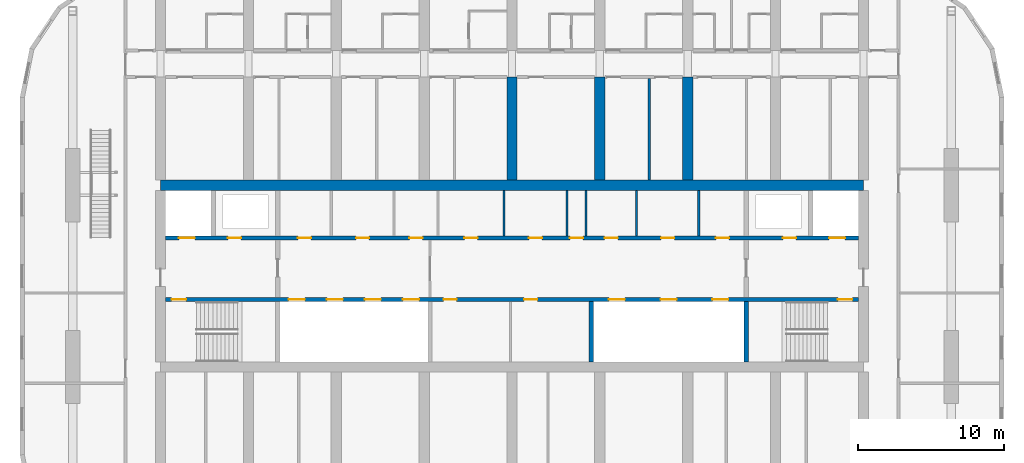
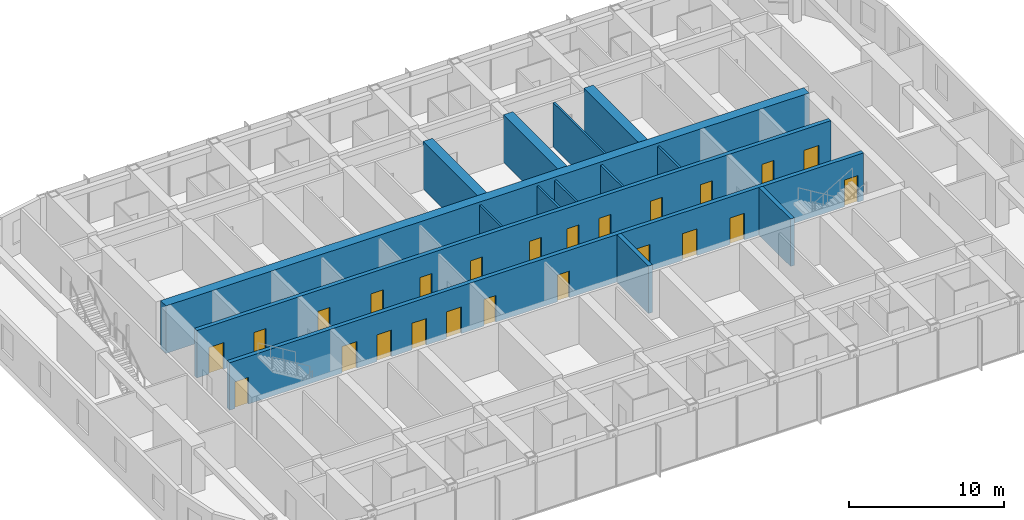
# One storey, part 17 of 28: 24 doors, 14 walls, 24 openings.
"""IFC4 building model written with IfcOpenShell, lengths in metres."""

from ifc_helpers import new_model, si_unit, direction, frame, frame_2d, origin, place, context, subcontext, project, spatial, rectangle, extrude, material, layer, layer_set, type_object, element, fill, save


model = new_model("IFC4")

# Units and contexts
model_context = context("Model", 3, precision=1e-05, world=origin(), true_north=direction((0.0, 1.0)))
body_context = subcontext(model_context, "Body", "Model", "MODEL_VIEW")
ifc_project = project(units=[si_unit("LENGTHUNIT", "METRE"), si_unit("AREAUNIT", "SQUARE_METRE"), si_unit("VOLUMEUNIT", "CUBIC_METRE"), si_unit("PLANEANGLEUNIT", "RADIAN"), si_unit("MASSUNIT", "GRAM", prefix="KILO")], contexts=[model_context])

# Site, building, storey
site_placement = place(None, origin())
site = spatial("IfcSite", under=ifc_project, at=site_placement, CompositionType="ELEMENT")
building_placement = place(site_placement, origin())
building = spatial("IfcBuilding", under=site, at=building_placement, Name="Orbita Commons", CompositionType="ELEMENT")
storey_placement = place(building_placement, frame((0.0, 0.0, 216.550048828125)))
storey = spatial("IfcBuildingStorey", under=building, at=storey_placement, Name="L53", CompositionType="ELEMENT", Elevation=216.550048828125)

# Wall, openings, doors
ifc_material_1 = material(Name="Concrete C50/60", Category="concrete")
ifc_layer_1 = layer(ifc_material_1, 0.300048828125)
ifc_layer_set_1 = layer_set([ifc_layer_1], Name="Concrete C50/60")
wall_type_1 = type_object("IfcWallType", Name="Core inner wall 300 C50/60", PredefinedType="SHEAR", material=ifc_layer_set_1)
wall_1_placement = place(storey_placement, frame((18.35009765625, 30.39990234375, 0.0), z_axis=(0.0, 0.0, 1.0), x_axis=(1.0, 0.0, 0.0)))
wall_1 = element("IfcWall", 1, at=wall_1_placement, inside=storey, type_object=wall_type_1, Name="Lobby wall south L53", PredefinedType="SHEAR", context=body_context, shape_type="SweptSolid", body=[
    extrude(rectangle(XDim=47.2998046875, YDim=0.300048828125, at=frame_2d((23.64990234375, 0.0))), origin(), (0.0, 0.0, 1.0), 3.75),
])
opening_1_placement = place(wall_1_placement, frame((0.39990234375, 0.0, 0.0)))
opening_1 = element("IfcOpeningElement", 2, at=opening_1_placement, cuts=wall_1, Name="Opening D02", PredefinedType="OPENING", context=body_context, shape_type="SweptSolid", body=[
    extrude(rectangle(XDim=1.0, YDim=2.10009765625, at=frame_2d((0.5, 1.050048828125))), frame((0.0, 0.159912109375, 0.0), z_axis=(0.0, -1.0, 0.0), x_axis=(1.0, 0.0, 0.0)), (0.0, 0.0, 1.0), 0.320068359375),
])
opening_2_placement = place(wall_1_placement, frame((45.89990234375, 0.0, 0.0)))
opening_2 = element("IfcOpeningElement", 3, at=opening_2_placement, cuts=wall_1, Name="Opening D02", PredefinedType="OPENING", context=body_context, shape_type="SweptSolid", body=[
    extrude(rectangle(XDim=1.0, YDim=2.10009765625, at=frame_2d((0.5, 1.050048828125))), frame((0.0, 0.159912109375, 0.0), z_axis=(0.0, -1.0, 0.0), x_axis=(1.0, 0.0, 0.0)), (0.0, 0.0, 1.0), 0.320068359375),
])
opening_3_placement = place(wall_1_placement, frame((8.39990234375, 0.0, 0.0)))
opening_3 = element("IfcOpeningElement", 4, at=opening_3_placement, cuts=wall_1, Name="Opening LD02", PredefinedType="OPENING", context=body_context, shape_type="SweptSolid", body=[
    extrude(rectangle(XDim=1.10009765625, YDim=2.10009765625, at=frame_2d((0.550048828125, 1.050048828125))), frame((0.0, 0.159912109375, 0.0), z_axis=(0.0, -1.0, 0.0), x_axis=(1.0, 0.0, 0.0)), (0.0, 0.0, 1.0), 0.320068359375),
])
opening_4_placement = place(wall_1_placement, frame((11.0, 0.0, 0.0)))
opening_4 = element("IfcOpeningElement", 5, at=opening_4_placement, cuts=wall_1, Name="Opening LD02", PredefinedType="OPENING", context=body_context, shape_type="SweptSolid", body=[
    extrude(rectangle(XDim=1.10009765625, YDim=2.10009765625, at=frame_2d((0.550048828125, 1.050048828125))), frame((0.0, 0.159912109375, 0.0), z_axis=(0.0, -1.0, 0.0), x_axis=(1.0, 0.0, 0.0)), (0.0, 0.0, 1.0), 0.320068359375),
])
opening_5_placement = place(wall_1_placement, frame((13.60009765625, 0.0, 0.0)))
opening_5 = element("IfcOpeningElement", 6, at=opening_5_placement, cuts=wall_1, Name="Opening LD02", PredefinedType="OPENING", context=body_context, shape_type="SweptSolid", body=[
    extrude(rectangle(XDim=1.10009765625, YDim=2.10009765625, at=frame_2d((0.550048828125, 1.050048828125))), frame((0.0, 0.159912109375, 0.0), z_axis=(0.0, -1.0, 0.0), x_axis=(1.0, 0.0, 0.0)), (0.0, 0.0, 1.0), 0.320068359375),
])
opening_6_placement = place(wall_1_placement, frame((16.199951171875, 0.0, 0.0)))
opening_6 = element("IfcOpeningElement", 7, at=opening_6_placement, cuts=wall_1, Name="Opening LD02", PredefinedType="OPENING", context=body_context, shape_type="SweptSolid", body=[
    extrude(rectangle(XDim=1.10009765625, YDim=2.10009765625, at=frame_2d((0.550048828125, 1.050048828125))), frame((0.0, 0.159912109375, 0.0), z_axis=(0.0, -1.0, 0.0), x_axis=(1.0, 0.0, 0.0)), (0.0, 0.0, 1.0), 0.320068359375),
])
opening_7_placement = place(wall_1_placement, frame((18.97509765625, 0.0, 0.0)))
opening_7 = element("IfcOpeningElement", 8, at=opening_7_placement, cuts=wall_1, Name="Opening D05", PredefinedType="OPENING", context=body_context, shape_type="SweptSolid", body=[
    extrude(rectangle(XDim=0.89990234375, YDim=2.10009765625, at=frame_2d((0.449951171875, 1.050048828125))), frame((0.0, 0.159912109375, 0.0), z_axis=(0.0, -1.0, 0.0), x_axis=(1.0, 0.0, 0.0)), (0.0, 0.0, 1.0), 0.320068359375),
])
opening_8_placement = place(wall_1_placement, frame((24.47509765625, 0.0, 0.0)))
opening_8 = element("IfcOpeningElement", 9, at=opening_8_placement, cuts=wall_1, Name="Opening D05", PredefinedType="OPENING", context=body_context, shape_type="SweptSolid", body=[
    extrude(rectangle(XDim=0.89990234375, YDim=2.10009765625, at=frame_2d((0.449951171875, 1.050048828125))), frame((0.0, 0.159912109375, 0.0), z_axis=(0.0, -1.0, 0.0), x_axis=(1.0, 0.0, 0.0)), (0.0, 0.0, 1.0), 0.320068359375),
])
opening_9_placement = place(wall_1_placement, frame((30.2666015625, 0.0, 0.0)))
opening_9 = element("IfcOpeningElement", 10, at=opening_9_placement, cuts=wall_1, Name="Opening LD02", PredefinedType="OPENING", context=body_context, shape_type="SweptSolid", body=[
    extrude(rectangle(XDim=1.10009765625, YDim=2.10009765625, at=frame_2d((0.550048828125, 1.050048828125))), frame((0.0, 0.159912109375, 0.0), z_axis=(0.0, -1.0, 0.0), x_axis=(1.0, 0.0, 0.0)), (0.0, 0.0, 1.0), 0.320068359375),
])
opening_10_placement = place(wall_1_placement, frame((33.800048828125, 0.0, 0.0)))
opening_10 = element("IfcOpeningElement", 11, at=opening_10_placement, cuts=wall_1, Name="Opening LD02", PredefinedType="OPENING", context=body_context, shape_type="SweptSolid", body=[
    extrude(rectangle(XDim=1.10009765625, YDim=2.10009765625, at=frame_2d((0.550048828125, 1.050048828125))), frame((0.0, 0.159912109375, 0.0), z_axis=(0.0, -1.0, 0.0), x_axis=(1.0, 0.0, 0.0)), (0.0, 0.0, 1.0), 0.320068359375),
])
opening_11_placement = place(wall_1_placement, frame((37.333251953125, 0.0, 0.0)))
opening_11 = element("IfcOpeningElement", 12, at=opening_11_placement, cuts=wall_1, Name="Opening LD02", PredefinedType="OPENING", context=body_context, shape_type="SweptSolid", body=[
    extrude(rectangle(XDim=1.10009765625, YDim=2.10009765625, at=frame_2d((0.550048828125, 1.050048828125))), frame((0.0, 0.159912109375, 0.0), z_axis=(0.0, -1.0, 0.0), x_axis=(1.0, 0.0, 0.0)), (0.0, 0.0, 1.0), 0.320068359375),
])
ifc_material_2 = material(Name="Steel-faced fire door leaf", Category="steel")
door_type_1 = type_object("IfcDoorType", Name="Fire door 90 min 1000x2100", OperationType="SINGLE_SWING_LEFT", PredefinedType="DOOR", material=ifc_material_2)
door_1_placement = place(opening_1_placement, origin())
door_1 = element("IfcDoor", 13, at=door_1_placement, inside=storey, type_object=door_type_1, Name="Stair S1 door", OperationType="SINGLE_SWING_LEFT", OverallHeight=2.10009765625, OverallWidth=1.0, PredefinedType="DOOR", context=body_context, shape_type="SweptSolid", body=[
    extrude(rectangle(XDim=1.0, YDim=2.10009765625, at=frame_2d((0.5, 1.050048828125))), frame((0.0, 0.02490234375, 0.0), z_axis=(0.0, -1.0, 0.0), x_axis=(1.0, 0.0, 0.0)), (0.0, 0.0, 1.0), 0.050048828125),
])
fill(opening_1, door_1)
door_2_placement = place(opening_2_placement, origin())
door_2 = element("IfcDoor", 14, at=door_2_placement, inside=storey, type_object=door_type_1, Name="Stair S2 door", OperationType="SINGLE_SWING_LEFT", OverallHeight=2.10009765625, OverallWidth=1.0, PredefinedType="DOOR", context=body_context, shape_type="SweptSolid", body=[
    extrude(rectangle(XDim=1.0, YDim=2.10009765625, at=frame_2d((0.5, 1.050048828125))), frame((0.0, 0.02490234375, 0.0), z_axis=(0.0, -1.0, 0.0), x_axis=(1.0, 0.0, 0.0)), (0.0, 0.0, 1.0), 0.050048828125),
])
fill(opening_2, door_2)
ifc_material_3 = material(Name="Steel-faced fire door leaf", Category="steel")
door_type_2 = type_object("IfcDoorType", Name="Lift landing door 1100x2100", OperationType="DOUBLE_DOOR_SLIDING", PredefinedType="DOOR", material=ifc_material_3)
door_3_placement = place(opening_3_placement, origin())
door_3 = element("IfcDoor", 15, at=door_3_placement, inside=storey, type_object=door_type_2, Name="Lift P41 landing door", OperationType="DOUBLE_DOOR_SLIDING", OverallHeight=2.10009765625, OverallWidth=1.10009765625, PredefinedType="DOOR", context=body_context, shape_type="SweptSolid", body=[
    extrude(rectangle(XDim=1.10009765625, YDim=2.10009765625, at=frame_2d((0.550048828125, 1.050048828125))), frame((0.0, 0.02490234375, 0.0), z_axis=(0.0, -1.0, 0.0), x_axis=(1.0, 0.0, 0.0)), (0.0, 0.0, 1.0), 0.050048828125),
])
fill(opening_3, door_3)
door_4_placement = place(opening_4_placement, origin())
door_4 = element("IfcDoor", 16, at=door_4_placement, inside=storey, type_object=door_type_2, Name="Lift P42 landing door", OperationType="DOUBLE_DOOR_SLIDING", OverallHeight=2.10009765625, OverallWidth=1.10009765625, PredefinedType="DOOR", context=body_context, shape_type="SweptSolid", body=[
    extrude(rectangle(XDim=1.10009765625, YDim=2.10009765625, at=frame_2d((0.550048828125, 1.050048828125))), frame((0.0, 0.02490234375, 0.0), z_axis=(0.0, -1.0, 0.0), x_axis=(1.0, 0.0, 0.0)), (0.0, 0.0, 1.0), 0.050048828125),
])
fill(opening_4, door_4)
door_5_placement = place(opening_5_placement, origin())
door_5 = element("IfcDoor", 17, at=door_5_placement, inside=storey, type_object=door_type_2, Name="Lift P43 landing door", OperationType="DOUBLE_DOOR_SLIDING", OverallHeight=2.10009765625, OverallWidth=1.10009765625, PredefinedType="DOOR", context=body_context, shape_type="SweptSolid", body=[
    extrude(rectangle(XDim=1.10009765625, YDim=2.10009765625, at=frame_2d((0.550048828125, 1.050048828125))), frame((0.0, 0.02490234375, 0.0), z_axis=(0.0, -1.0, 0.0), x_axis=(1.0, 0.0, 0.0)), (0.0, 0.0, 1.0), 0.050048828125),
])
fill(opening_5, door_5)
door_6_placement = place(opening_6_placement, origin())
door_6 = element("IfcDoor", 18, at=door_6_placement, inside=storey, type_object=door_type_2, Name="Lift P44 landing door", OperationType="DOUBLE_DOOR_SLIDING", OverallHeight=2.10009765625, OverallWidth=1.10009765625, PredefinedType="DOOR", context=body_context, shape_type="SweptSolid", body=[
    extrude(rectangle(XDim=1.10009765625, YDim=2.10009765625, at=frame_2d((0.550048828125, 1.050048828125))), frame((0.0, 0.02490234375, 0.0), z_axis=(0.0, -1.0, 0.0), x_axis=(1.0, 0.0, 0.0)), (0.0, 0.0, 1.0), 0.050048828125),
])
fill(opening_6, door_6)
door_7_placement = place(opening_9_placement, origin())
door_7 = element("IfcDoor", 19, at=door_7_placement, inside=storey, type_object=door_type_2, Name="Lift SV1 landing door", OperationType="DOUBLE_DOOR_SLIDING", OverallHeight=2.10009765625, OverallWidth=1.10009765625, PredefinedType="DOOR", context=body_context, shape_type="SweptSolid", body=[
    extrude(rectangle(XDim=1.10009765625, YDim=2.10009765625, at=frame_2d((0.550048828125, 1.050048828125))), frame((0.0, 0.02490234375, 0.0), z_axis=(0.0, -1.0, 0.0), x_axis=(1.0, 0.0, 0.0)), (0.0, 0.0, 1.0), 0.050048828125),
])
fill(opening_9, door_7)
door_8_placement = place(opening_10_placement, origin())
door_8 = element("IfcDoor", 20, at=door_8_placement, inside=storey, type_object=door_type_2, Name="Lift SV2 landing door", OperationType="DOUBLE_DOOR_SLIDING", OverallHeight=2.10009765625, OverallWidth=1.10009765625, PredefinedType="DOOR", context=body_context, shape_type="SweptSolid", body=[
    extrude(rectangle(XDim=1.10009765625, YDim=2.10009765625, at=frame_2d((0.550048828125, 1.050048828125))), frame((0.0, 0.02490234375, 0.0), z_axis=(0.0, -1.0, 0.0), x_axis=(1.0, 0.0, 0.0)), (0.0, 0.0, 1.0), 0.050048828125),
])
fill(opening_10, door_8)
door_9_placement = place(opening_11_placement, origin())
door_9 = element("IfcDoor", 21, at=door_9_placement, inside=storey, type_object=door_type_2, Name="Lift SV3 landing door", OperationType="DOUBLE_DOOR_SLIDING", OverallHeight=2.10009765625, OverallWidth=1.10009765625, PredefinedType="DOOR", context=body_context, shape_type="SweptSolid", body=[
    extrude(rectangle(XDim=1.10009765625, YDim=2.10009765625, at=frame_2d((0.550048828125, 1.050048828125))), frame((0.0, 0.02490234375, 0.0), z_axis=(0.0, -1.0, 0.0), x_axis=(1.0, 0.0, 0.0)), (0.0, 0.0, 1.0), 0.050048828125),
])
fill(opening_11, door_9)
ifc_material_4 = material(Name="Steel-faced fire door leaf", Category="steel")
door_type_3 = type_object("IfcDoorType", Name="Service door 20 min 900x2100", OperationType="SINGLE_SWING_LEFT", PredefinedType="DOOR", material=ifc_material_4)
door_10_placement = place(opening_7_placement, origin())
door_10 = element("IfcDoor", 22, at=door_10_placement, inside=storey, type_object=door_type_3, Name="Linen store door", OperationType="SINGLE_SWING_LEFT", OverallHeight=2.10009765625, OverallWidth=0.89990234375, PredefinedType="DOOR", context=body_context, shape_type="SweptSolid", body=[
    extrude(rectangle(XDim=0.89990234375, YDim=2.10009765625, at=frame_2d((0.449951171875, 1.050048828125))), frame((0.0, 0.02490234375, 0.0), z_axis=(0.0, -1.0, 0.0), x_axis=(1.0, 0.0, 0.0)), (0.0, 0.0, 1.0), 0.050048828125),
])
fill(opening_7, door_10)
door_11_placement = place(opening_8_placement, origin())
door_11 = element("IfcDoor", 23, at=door_11_placement, inside=storey, type_object=door_type_3, Name="Telecoms room door", OperationType="SINGLE_SWING_LEFT", OverallHeight=2.10009765625, OverallWidth=0.89990234375, PredefinedType="DOOR", context=body_context, shape_type="SweptSolid", body=[
    extrude(rectangle(XDim=0.89990234375, YDim=2.10009765625, at=frame_2d((0.449951171875, 1.050048828125))), frame((0.0, 0.02490234375, 0.0), z_axis=(0.0, -1.0, 0.0), x_axis=(1.0, 0.0, 0.0)), (0.0, 0.0, 1.0), 0.050048828125),
])
fill(opening_8, door_11)

wall_2_placement = place(storey_placement, frame((18.35009765625, 34.60009765625, 0.0), z_axis=(0.0, 0.0, 1.0), x_axis=(1.0, 0.0, 0.0)))
wall_2 = element("IfcWall", 24, at=wall_2_placement, inside=storey, type_object=wall_type_1, Name="Lobby wall north L53", PredefinedType="SHEAR", context=body_context, shape_type="SweptSolid", body=[
    extrude(rectangle(XDim=47.2998046875, YDim=0.300048828125, at=frame_2d((23.64990234375, 0.0))), origin(), (0.0, 0.0, 1.0), 3.75),
])
opening_12_placement = place(wall_2_placement, frame((0.89990234375, 0.0, 0.0)))
opening_12 = element("IfcOpeningElement", 25, at=opening_12_placement, cuts=wall_2, Name="Opening LD01", PredefinedType="OPENING", context=body_context, shape_type="SweptSolid", body=[
    extrude(rectangle(XDim=1.10009765625, YDim=2.10009765625, at=frame_2d((0.550048828125, 1.050048828125))), frame((0.0, 0.159912109375, 0.0), z_axis=(0.0, -1.0, 0.0), x_axis=(1.0, 0.0, 0.0)), (0.0, 0.0, 1.0), 0.320068359375),
])
opening_13_placement = place(wall_2_placement, frame((45.300048828125, 0.0, 0.0)))
opening_13 = element("IfcOpeningElement", 26, at=opening_13_placement, cuts=wall_2, Name="Opening LD01", PredefinedType="OPENING", context=body_context, shape_type="SweptSolid", body=[
    extrude(rectangle(XDim=1.10009765625, YDim=2.10009765625, at=frame_2d((0.550048828125, 1.050048828125))), frame((0.0, 0.159912109375, 0.0), z_axis=(0.0, -1.0, 0.0), x_axis=(1.0, 0.0, 0.0)), (0.0, 0.0, 1.0), 0.320068359375),
])
opening_14_placement = place(wall_2_placement, frame((4.25, 0.0, 0.0)))
opening_14 = element("IfcOpeningElement", 27, at=opening_14_placement, cuts=wall_2, Name="Opening D03", PredefinedType="OPENING", context=body_context, shape_type="SweptSolid", body=[
    extrude(rectangle(XDim=0.89990234375, YDim=2.10009765625, at=frame_2d((0.449951171875, 1.050048828125))), frame((0.0, 0.159912109375, 0.0), z_axis=(0.0, -1.0, 0.0), x_axis=(1.0, 0.0, 0.0)), (0.0, 0.0, 1.0), 0.320068359375),
])
opening_15_placement = place(wall_2_placement, frame((42.14990234375, 0.0, 0.0)))
opening_15 = element("IfcOpeningElement", 28, at=opening_15_placement, cuts=wall_2, Name="Opening D03", PredefinedType="OPENING", context=body_context, shape_type="SweptSolid", body=[
    extrude(rectangle(XDim=0.89990234375, YDim=2.10009765625, at=frame_2d((0.449951171875, 1.050048828125))), frame((0.0, 0.159912109375, 0.0), z_axis=(0.0, -1.0, 0.0), x_axis=(1.0, 0.0, 0.0)), (0.0, 0.0, 1.0), 0.320068359375),
])
opening_16_placement = place(wall_2_placement, frame((9.025390625, 0.0, 0.0)))
opening_16 = element("IfcOpeningElement", 29, at=opening_16_placement, cuts=wall_2, Name="Opening D05", PredefinedType="OPENING", context=body_context, shape_type="SweptSolid", body=[
    extrude(rectangle(XDim=0.89990234375, YDim=2.10009765625, at=frame_2d((0.449951171875, 1.050048828125))), frame((0.0, 0.159912109375, 0.0), z_axis=(0.0, -1.0, 0.0), x_axis=(1.0, 0.0, 0.0)), (0.0, 0.0, 1.0), 0.320068359375),
])
opening_17_placement = place(wall_2_placement, frame((12.998779296875, 0.0, 0.0)))
opening_17 = element("IfcOpeningElement", 30, at=opening_17_placement, cuts=wall_2, Name="Opening D03", PredefinedType="OPENING", context=body_context, shape_type="SweptSolid", body=[
    extrude(rectangle(XDim=0.89990234375, YDim=2.10009765625, at=frame_2d((0.449951171875, 1.050048828125))), frame((0.0, 0.159912109375, 0.0), z_axis=(0.0, -1.0, 0.0), x_axis=(1.0, 0.0, 0.0)), (0.0, 0.0, 1.0), 0.320068359375),
])
opening_18_placement = place(wall_2_placement, frame((16.646240234375, 0.0, 0.0)))
opening_18 = element("IfcOpeningElement", 31, at=opening_18_placement, cuts=wall_2, Name="Opening D03", PredefinedType="OPENING", context=body_context, shape_type="SweptSolid", body=[
    extrude(rectangle(XDim=0.89990234375, YDim=2.10009765625, at=frame_2d((0.449951171875, 1.050048828125))), frame((0.0, 0.159912109375, 0.0), z_axis=(0.0, -1.0, 0.0), x_axis=(1.0, 0.0, 0.0)), (0.0, 0.0, 1.0), 0.320068359375),
])
opening_19_placement = place(wall_2_placement, frame((20.40478515625, 0.0, 0.0)))
opening_19 = element("IfcOpeningElement", 32, at=opening_19_placement, cuts=wall_2, Name="Opening D03", PredefinedType="OPENING", context=body_context, shape_type="SweptSolid", body=[
    extrude(rectangle(XDim=0.89990234375, YDim=2.10009765625, at=frame_2d((0.449951171875, 1.050048828125))), frame((0.0, 0.159912109375, 0.0), z_axis=(0.0, -1.0, 0.0), x_axis=(1.0, 0.0, 0.0)), (0.0, 0.0, 1.0), 0.320068359375),
])
opening_20_placement = place(wall_2_placement, frame((24.810791015625, 0.0, 0.0)))
opening_20 = element("IfcOpeningElement", 33, at=opening_20_placement, cuts=wall_2, Name="Opening D03", PredefinedType="OPENING", context=body_context, shape_type="SweptSolid", body=[
    extrude(rectangle(XDim=0.89990234375, YDim=2.10009765625, at=frame_2d((0.449951171875, 1.050048828125))), frame((0.0, 0.159912109375, 0.0), z_axis=(0.0, -1.0, 0.0), x_axis=(1.0, 0.0, 0.0)), (0.0, 0.0, 1.0), 0.320068359375),
])
opening_21_placement = place(wall_2_placement, frame((27.6083984375, 0.0, 0.0)))
opening_21 = element("IfcOpeningElement", 34, at=opening_21_placement, cuts=wall_2, Name="Opening D03", PredefinedType="OPENING", context=body_context, shape_type="SweptSolid", body=[
    extrude(rectangle(XDim=0.89990234375, YDim=2.10009765625, at=frame_2d((0.449951171875, 1.050048828125))), frame((0.0, 0.159912109375, 0.0), z_axis=(0.0, -1.0, 0.0), x_axis=(1.0, 0.0, 0.0)), (0.0, 0.0, 1.0), 0.320068359375),
])
opening_22_placement = place(wall_2_placement, frame((29.980712890625, 0.0, 0.0)))
opening_22 = element("IfcOpeningElement", 35, at=opening_22_placement, cuts=wall_2, Name="Opening D03", PredefinedType="OPENING", context=body_context, shape_type="SweptSolid", body=[
    extrude(rectangle(XDim=0.89990234375, YDim=2.10009765625, at=frame_2d((0.449951171875, 1.050048828125))), frame((0.0, 0.159912109375, 0.0), z_axis=(0.0, -1.0, 0.0), x_axis=(1.0, 0.0, 0.0)), (0.0, 0.0, 1.0), 0.320068359375),
])
opening_23_placement = place(wall_2_placement, frame((33.83056640625, 0.0, 0.0)))
opening_23 = element("IfcOpeningElement", 36, at=opening_23_placement, cuts=wall_2, Name="Opening D05", PredefinedType="OPENING", context=body_context, shape_type="SweptSolid", body=[
    extrude(rectangle(XDim=0.89990234375, YDim=2.10009765625, at=frame_2d((0.449951171875, 1.050048828125))), frame((0.0, 0.159912109375, 0.0), z_axis=(0.0, -1.0, 0.0), x_axis=(1.0, 0.0, 0.0)), (0.0, 0.0, 1.0), 0.320068359375),
])
opening_24_placement = place(wall_2_placement, frame((37.5791015625, 0.0, 0.0)))
opening_24 = element("IfcOpeningElement", 37, at=opening_24_placement, cuts=wall_2, Name="Opening D03", PredefinedType="OPENING", context=body_context, shape_type="SweptSolid", body=[
    extrude(rectangle(XDim=0.89990234375, YDim=2.10009765625, at=frame_2d((0.449951171875, 1.050048828125))), frame((0.0, 0.159912109375, 0.0), z_axis=(0.0, -1.0, 0.0), x_axis=(1.0, 0.0, 0.0)), (0.0, 0.0, 1.0), 0.320068359375),
])
ifc_material_5 = material(Name="Steel-faced fire door leaf", Category="steel")
door_type_4 = type_object("IfcDoorType", Name="Firefighting lift landing door 1100x2100", OperationType="DOUBLE_DOOR_SLIDING", PredefinedType="DOOR", material=ifc_material_5)
door_12_placement = place(opening_12_placement, origin())
door_12 = element("IfcDoor", 38, at=door_12_placement, inside=storey, type_object=door_type_4, Name="Firefighting lift FL1 landing door", OperationType="DOUBLE_DOOR_SLIDING", OverallHeight=2.10009765625, OverallWidth=1.10009765625, PredefinedType="DOOR", context=body_context, shape_type="SweptSolid", body=[
    extrude(rectangle(XDim=1.10009765625, YDim=2.10009765625, at=frame_2d((0.550048828125, 1.050048828125))), frame((0.0, 0.02490234375, 0.0), z_axis=(0.0, -1.0, 0.0), x_axis=(1.0, 0.0, 0.0)), (0.0, 0.0, 1.0), 0.050048828125),
])
fill(opening_12, door_12)
door_13_placement = place(opening_13_placement, origin())
door_13 = element("IfcDoor", 39, at=door_13_placement, inside=storey, type_object=door_type_4, Name="Firefighting lift FL2 landing door", OperationType="DOUBLE_DOOR_SLIDING", OverallHeight=2.10009765625, OverallWidth=1.10009765625, PredefinedType="DOOR", context=body_context, shape_type="SweptSolid", body=[
    extrude(rectangle(XDim=1.10009765625, YDim=2.10009765625, at=frame_2d((0.550048828125, 1.050048828125))), frame((0.0, 0.02490234375, 0.0), z_axis=(0.0, -1.0, 0.0), x_axis=(1.0, 0.0, 0.0)), (0.0, 0.0, 1.0), 0.050048828125),
])
fill(opening_13, door_13)
door_14_placement = place(opening_16_placement, origin())
door_14 = element("IfcDoor", 40, at=door_14_placement, inside=storey, type_object=door_type_3, Name="Accessible WC door", OperationType="SINGLE_SWING_LEFT", OverallHeight=2.10009765625, OverallWidth=0.89990234375, PredefinedType="DOOR", context=body_context, shape_type="SweptSolid", body=[
    extrude(rectangle(XDim=0.89990234375, YDim=2.10009765625, at=frame_2d((0.449951171875, 1.050048828125))), frame((0.0, 0.02490234375, 0.0), z_axis=(0.0, -1.0, 0.0), x_axis=(1.0, 0.0, 0.0)), (0.0, 0.0, 1.0), 0.050048828125),
])
fill(opening_16, door_14)
door_15_placement = place(opening_23_placement, origin())
door_15 = element("IfcDoor", 41, at=door_15_placement, inside=storey, type_object=door_type_3, Name="Guest pantry door", OperationType="SINGLE_SWING_LEFT", OverallHeight=2.10009765625, OverallWidth=0.89990234375, PredefinedType="DOOR", context=body_context, shape_type="SweptSolid", body=[
    extrude(rectangle(XDim=0.89990234375, YDim=2.10009765625, at=frame_2d((0.449951171875, 1.050048828125))), frame((0.0, 0.02490234375, 0.0), z_axis=(0.0, -1.0, 0.0), x_axis=(1.0, 0.0, 0.0)), (0.0, 0.0, 1.0), 0.050048828125),
])
fill(opening_23, door_15)
ifc_material_6 = material(Name="Steel-faced fire door leaf", Category="steel")
door_type_5 = type_object("IfcDoorType", Name="Shaft access door 90 min 900x2100", OperationType="SINGLE_SWING_LEFT", PredefinedType="DOOR", material=ifc_material_6)
door_16_placement = place(opening_14_placement, origin())
door_16 = element("IfcDoor", 42, at=door_16_placement, inside=storey, type_object=door_type_5, Name="Riser door west", OperationType="SINGLE_SWING_LEFT", OverallHeight=2.10009765625, OverallWidth=0.89990234375, PredefinedType="DOOR", context=body_context, shape_type="SweptSolid", body=[
    extrude(rectangle(XDim=0.89990234375, YDim=2.10009765625, at=frame_2d((0.449951171875, 1.050048828125))), frame((0.0, 0.02490234375, 0.0), z_axis=(0.0, -1.0, 0.0), x_axis=(1.0, 0.0, 0.0)), (0.0, 0.0, 1.0), 0.050048828125),
])
fill(opening_14, door_16)
door_17_placement = place(opening_15_placement, origin())
door_17 = element("IfcDoor", 43, at=door_17_placement, inside=storey, type_object=door_type_5, Name="Riser door east", OperationType="SINGLE_SWING_LEFT", OverallHeight=2.10009765625, OverallWidth=0.89990234375, PredefinedType="DOOR", context=body_context, shape_type="SweptSolid", body=[
    extrude(rectangle(XDim=0.89990234375, YDim=2.10009765625, at=frame_2d((0.449951171875, 1.050048828125))), frame((0.0, 0.02490234375, 0.0), z_axis=(0.0, -1.0, 0.0), x_axis=(1.0, 0.0, 0.0)), (0.0, 0.0, 1.0), 0.050048828125),
])
fill(opening_15, door_17)
door_18_placement = place(opening_17_placement, origin())
door_18 = element("IfcDoor", 44, at=door_18_placement, inside=storey, type_object=door_type_5, Name="Refuse chute room door", OperationType="SINGLE_SWING_LEFT", OverallHeight=2.10009765625, OverallWidth=0.89990234375, PredefinedType="DOOR", context=body_context, shape_type="SweptSolid", body=[
    extrude(rectangle(XDim=0.89990234375, YDim=2.10009765625, at=frame_2d((0.449951171875, 1.050048828125))), frame((0.0, 0.02490234375, 0.0), z_axis=(0.0, -1.0, 0.0), x_axis=(1.0, 0.0, 0.0)), (0.0, 0.0, 1.0), 0.050048828125),
])
fill(opening_17, door_18)
door_19_placement = place(opening_18_placement, origin())
door_19 = element("IfcDoor", 45, at=door_19_placement, inside=storey, type_object=door_type_5, Name="Electrical riser room door", OperationType="SINGLE_SWING_LEFT", OverallHeight=2.10009765625, OverallWidth=0.89990234375, PredefinedType="DOOR", context=body_context, shape_type="SweptSolid", body=[
    extrude(rectangle(XDim=0.89990234375, YDim=2.10009765625, at=frame_2d((0.449951171875, 1.050048828125))), frame((0.0, 0.02490234375, 0.0), z_axis=(0.0, -1.0, 0.0), x_axis=(1.0, 0.0, 0.0)), (0.0, 0.0, 1.0), 0.050048828125),
])
fill(opening_18, door_19)
door_20_placement = place(opening_19_placement, origin())
door_20 = element("IfcDoor", 46, at=door_20_placement, inside=storey, type_object=door_type_5, Name="Storage room door", OperationType="SINGLE_SWING_LEFT", OverallHeight=2.10009765625, OverallWidth=0.89990234375, PredefinedType="DOOR", context=body_context, shape_type="SweptSolid", body=[
    extrude(rectangle(XDim=0.89990234375, YDim=2.10009765625, at=frame_2d((0.449951171875, 1.050048828125))), frame((0.0, 0.02490234375, 0.0), z_axis=(0.0, -1.0, 0.0), x_axis=(1.0, 0.0, 0.0)), (0.0, 0.0, 1.0), 0.050048828125),
])
fill(opening_19, door_20)
door_21_placement = place(opening_20_placement, origin())
door_21 = element("IfcDoor", 47, at=door_21_placement, inside=storey, type_object=door_type_5, Name="Communications room door", OperationType="SINGLE_SWING_LEFT", OverallHeight=2.10009765625, OverallWidth=0.89990234375, PredefinedType="DOOR", context=body_context, shape_type="SweptSolid", body=[
    extrude(rectangle(XDim=0.89990234375, YDim=2.10009765625, at=frame_2d((0.449951171875, 1.050048828125))), frame((0.0, 0.02490234375, 0.0), z_axis=(0.0, -1.0, 0.0), x_axis=(1.0, 0.0, 0.0)), (0.0, 0.0, 1.0), 0.050048828125),
])
fill(opening_20, door_21)
door_22_placement = place(opening_21_placement, origin())
door_22 = element("IfcDoor", 48, at=door_22_placement, inside=storey, type_object=door_type_5, Name="Stair pressurisation duct door", OperationType="SINGLE_SWING_LEFT", OverallHeight=2.10009765625, OverallWidth=0.89990234375, PredefinedType="DOOR", context=body_context, shape_type="SweptSolid", body=[
    extrude(rectangle(XDim=0.89990234375, YDim=2.10009765625, at=frame_2d((0.449951171875, 1.050048828125))), frame((0.0, 0.02490234375, 0.0), z_axis=(0.0, -1.0, 0.0), x_axis=(1.0, 0.0, 0.0)), (0.0, 0.0, 1.0), 0.050048828125),
])
fill(opening_21, door_22)
door_23_placement = place(opening_22_placement, origin())
door_23 = element("IfcDoor", 49, at=door_23_placement, inside=storey, type_object=door_type_5, Name="IT room door", OperationType="SINGLE_SWING_LEFT", OverallHeight=2.10009765625, OverallWidth=0.89990234375, PredefinedType="DOOR", context=body_context, shape_type="SweptSolid", body=[
    extrude(rectangle(XDim=0.89990234375, YDim=2.10009765625, at=frame_2d((0.449951171875, 1.050048828125))), frame((0.0, 0.02490234375, 0.0), z_axis=(0.0, -1.0, 0.0), x_axis=(1.0, 0.0, 0.0)), (0.0, 0.0, 1.0), 0.050048828125),
])
fill(opening_22, door_23)
door_24_placement = place(opening_24_placement, origin())
door_24 = element("IfcDoor", 50, at=door_24_placement, inside=storey, type_object=door_type_5, Name="Cleaners store door", OperationType="SINGLE_SWING_LEFT", OverallHeight=2.10009765625, OverallWidth=0.89990234375, PredefinedType="DOOR", context=body_context, shape_type="SweptSolid", body=[
    extrude(rectangle(XDim=0.89990234375, YDim=2.10009765625, at=frame_2d((0.449951171875, 1.050048828125))), frame((0.0, 0.02490234375, 0.0), z_axis=(0.0, -1.0, 0.0), x_axis=(1.0, 0.0, 0.0)), (0.0, 0.0, 1.0), 0.050048828125),
])
fill(opening_24, door_24)

# Walls
for number, where, z_axis, x_axis, name in (
    (51, (58.0, 26.14990234375, 0.0), (0.0, 0.0, 1.0), (0.0, 1.0, 0.0), "Stair S2 wall L53"),
    (52, (47.39990234375, 26.14990234375, 0.0), (0.0, 0.0, 1.0), (0.0, 1.0, 0.0), "Hoistway division wall L53"),
):
    element("IfcWall", number, at=place(storey_placement, frame(where, z_axis=z_axis, x_axis=x_axis)), inside=storey, type_object=wall_type_1, Name=name, PredefinedType="SHEAR", context=body_context, shape_type="SweptSolid", body=[
        extrude(rectangle(XDim=4.10009765625, YDim=0.300048828125, at=frame_2d((2.050048828125, 0.0))), origin(), (0.0, 0.0, 1.0), 3.75),
    ])
ifc_material_7 = material(Name="Concrete blockwork", Category="masonry")
ifc_layer_2 = layer(ifc_material_7, 0.14990234375)
ifc_layer_set_2 = layer_set([ifc_layer_2], Name="Concrete blockwork")
wall_type_2 = type_object("IfcWallType", Name="Core partition 150 blockwork", PredefinedType="SOLIDWALL", material=ifc_layer_set_2)
for number, where, z_axis, x_axis, name in (
    (53, (41.463134765625, 34.75, 0.0), (0.0, 0.0, 1.0), (0.0, 1.0, 0.0), "Core partition 150 blockwork L53"),
    (54, (45.75830078125, 34.75, 0.0), (0.0, 0.0, 1.0), (0.0, 1.0, 0.0), "Core partition 150 blockwork L53"),
    (55, (47.058349609375, 34.75, 0.0), (0.0, 0.0, 1.0), (0.0, 1.0, 0.0), "Core partition 150 blockwork L53"),
    (56, (50.5029296875, 34.75, 0.0), (0.0, 0.0, 1.0), (0.0, 1.0, 0.0), "Core partition 150 blockwork L53"),
    (57, (54.758056640625, 34.75, 0.0), (0.0, 0.0, 1.0), (0.0, 1.0, 0.0), "Core partition 150 blockwork L53"),
):
    element("IfcWall", number, at=place(storey_placement, frame(where, z_axis=z_axis, x_axis=x_axis)), inside=storey, type_object=wall_type_2, Name=name, PredefinedType="SOLIDWALL", context=body_context, shape_type="SweptSolid", body=[
        extrude(rectangle(XDim=3.10009765625, YDim=0.14990234375, at=frame_2d((1.550048828125, 0.0))), origin(), (0.0, 0.0, 1.0), 3.5),
    ])
ifc_material_8 = material(Name="Concrete C50/60", Category="concrete")
ifc_layer_3 = layer(ifc_material_8, 0.699951171875)
ifc_layer_set_3 = layer_set([ifc_layer_3], Name="Concrete C50/60")
wall_type_3 = type_object("IfcWallType", Name="Core wall 700 C50/60", PredefinedType="SHEAR", material=ifc_layer_set_3)
wall_3_placement = place(storey_placement, frame((18.0, 38.199951171875, 0.0), z_axis=(0.0, 0.0, 1.0), x_axis=(1.0, 0.0, 0.0)))
element("IfcWall", 58, at=wall_3_placement, inside=storey, type_object=wall_type_3, Name="Core spine wall north L53", PredefinedType="SHEAR", context=body_context, shape_type="SweptSolid", body=[
    extrude(rectangle(XDim=48.0, YDim=0.699951171875, at=frame_2d((24.0, 0.0))), origin(), (0.0, 0.0, 1.0), 3.75),
])
ifc_material_9 = material(Name="Concrete C50/60", Category="concrete")
ifc_layer_4 = layer(ifc_material_9, 0.699951171875)
ifc_layer_set_4 = layer_set([ifc_layer_4], Name="Concrete C50/60")
wall_type_4 = type_object("IfcWallType", Name="Cross wall 700 C50/60", PredefinedType="SHEAR", material=ifc_layer_set_4)
for number, where, z_axis, x_axis, name in (
    (59, (42.0, 38.550048828125, 0.0), (0.0, 0.0, 1.0), (0.0, 1.0, 0.0), "Cross wall 8 north inner L53"),
    (60, (48.0, 38.550048828125, 0.0), (0.0, 0.0, 1.0), (0.0, 1.0, 0.0), "Cross wall 9 north inner L53"),
    (61, (54.0, 38.550048828125, 0.0), (0.0, 0.0, 1.0), (0.0, 1.0, 0.0), "Cross wall 10 north inner L53"),
):
    element("IfcWall", number, at=place(storey_placement, frame(where, z_axis=z_axis, x_axis=x_axis)), inside=storey, type_object=wall_type_4, Name=name, PredefinedType="SHEAR", context=body_context, shape_type="SweptSolid", body=[
        extrude(rectangle(XDim=7.050048828125, YDim=0.699951171875, at=frame_2d((3.52490234375, 0.0))), origin(), (0.0, 0.0, 1.0), 3.75),
    ])
ifc_material_10 = material(Name="Gypsum plasterboard on steel studs", Category="steel")
ifc_layer_5 = layer(ifc_material_10, 0.14990234375)
ifc_layer_set_5 = layer_set([ifc_layer_5], Name="Gypsum plasterboard on steel studs")
wall_type_5 = type_object("IfcWallType", Name="Partition 150 plasterboard", PredefinedType="PARTITIONING", material=ifc_layer_set_5)
wall_4_placement = place(storey_placement, frame((51.3701171875, 38.550048828125, 0.0), z_axis=(0.0, 0.0, 1.0), x_axis=(0.0, 1.0, 0.0)))
element("IfcWall", 62, at=wall_4_placement, inside=storey, type_object=wall_type_5, Name="Partition 150 plasterboard L53", PredefinedType="PARTITIONING", context=body_context, shape_type="SweptSolid", body=[
    extrude(rectangle(XDim=6.949951171875, YDim=0.14990234375, at=frame_2d((3.47509765625, 0.0))), origin(), (0.0, 0.0, 1.0), 3.5),
])

save(model, "model.ifc")
